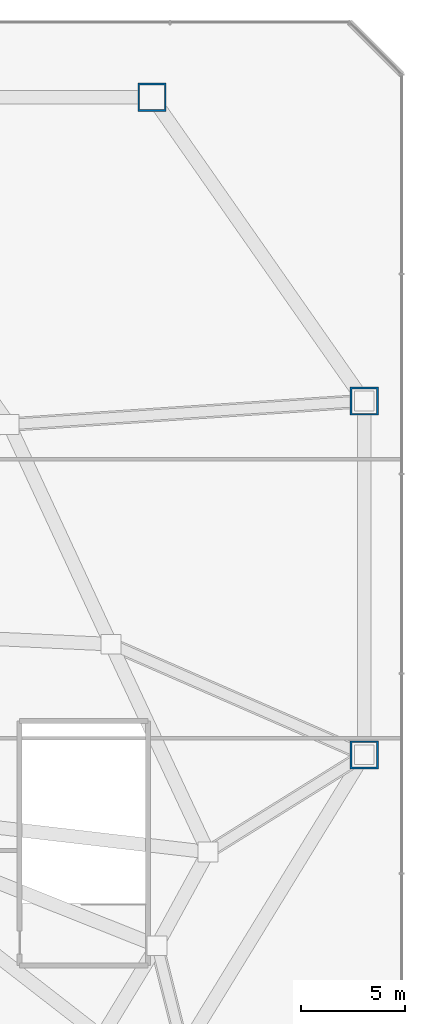
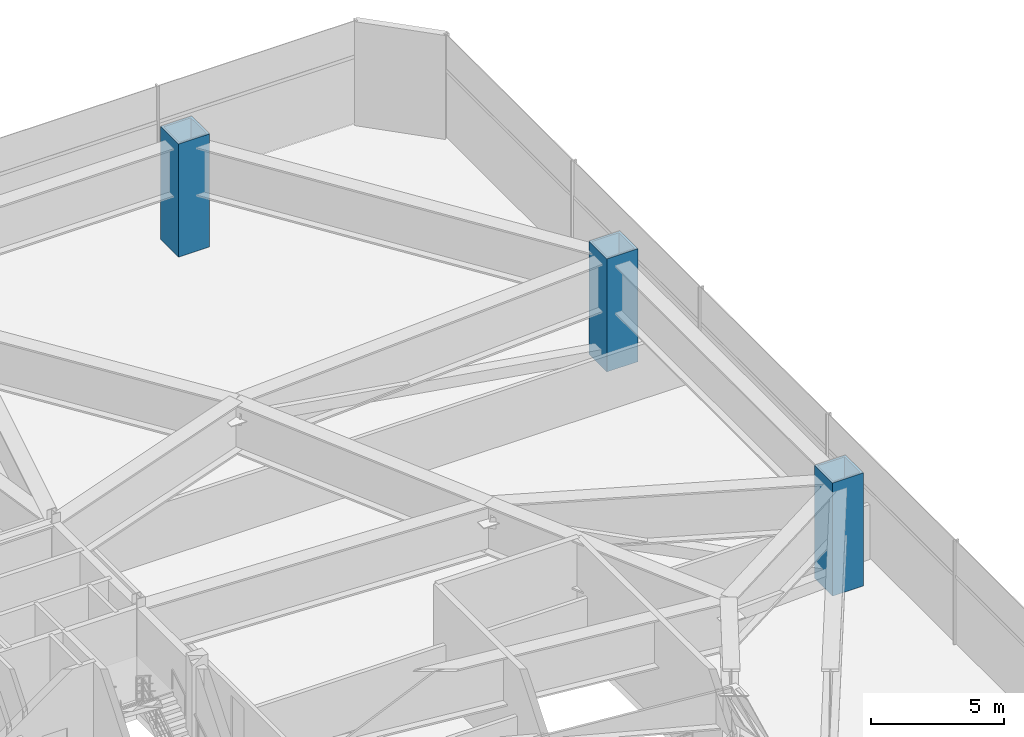
# One storey, part 4 of 29: 3 columns.
"""IFC4 building model written with IfcOpenShell, lengths in metres."""

from ifc_helpers import new_model, si_unit, direction, frame, origin, origin_2d, place, context, subcontext, project, spatial, hollow_rectangle, extrude, material, material_profile, profile_set, type_object, element, save


model = new_model("IFC4")

# Units and contexts
model_context = context("Model", 3, precision=1e-05, world=origin(), true_north=direction((0.0, 1.0)))
body_context = subcontext(model_context, "Body", "Model", "MODEL_VIEW")
ifc_project = project(units=[si_unit("LENGTHUNIT", "METRE"), si_unit("AREAUNIT", "SQUARE_METRE"), si_unit("VOLUMEUNIT", "CUBIC_METRE"), si_unit("PLANEANGLEUNIT", "RADIAN"), si_unit("MASSUNIT", "GRAM", prefix="KILO")], contexts=[model_context])

# Site, building, storey
site_placement = place(None, origin())
site = spatial("IfcSite", under=ifc_project, at=site_placement, CompositionType="ELEMENT")
building_placement = place(site_placement, origin())
building = spatial("IfcBuilding", under=site, at=building_placement, Name="Varakhsha Concourse Tower", CompositionType="ELEMENT")
storey_placement = place(building_placement, frame((0.0, 0.0, 22.0)))
storey = spatial("IfcBuildingStorey", under=building, at=storey_placement, Name="L05", CompositionType="ELEMENT", Elevation=22.0)

# Columns
ifc_material = material(Name="Structural Steel ASTM A572 Grade 50", Category="steel")
ifc_material_profile = material_profile(ifc_material, hollow_rectangle(XDim=1.35009765625, YDim=1.35009765625, WallThickness=0.0849609375, at=origin_2d()), Name="BOX 1350x1350x85")
ifc_profile_set = profile_set([ifc_material_profile], Name="Structural Steel ASTM A572 Grade 50")
column_type = type_object("IfcColumnType", Name="CL-STILT-1350", PredefinedType="COLUMN", material=ifc_profile_set)
for number, where, z_axis, x_axis, name in (
    (1, (75.199951171875, 18.800048828125, 0.0), (0.0, 0.0, 1.0), (1.0, 0.0, 0.0), "L05 Podium Mega-Column PC-E1"),
    (2, (75.199951171875, 35.800048828125, 0.0), (0.0, 0.0, 1.0), (1.0, 0.0, 0.0), "L05 Podium Mega-Column PC-E2"),
    (3, (65.0, 50.39990234375, 0.0), (0.0, 0.0, 1.0), (1.0, 0.0, 0.0), "L05 Podium Mega-Column PC-N4"),
):
    element("IfcColumn", number, at=place(storey_placement, frame(where, z_axis=z_axis, x_axis=x_axis)), inside=storey, type_object=column_type, Name=name, PredefinedType="COLUMN", context=body_context, shape_type="SweptSolid", body=[
        extrude(hollow_rectangle(XDim=1.35009765625, YDim=1.35009765625, WallThickness=0.0849609375, at=origin_2d()), origin(), (0.0, 0.0, 1.0), 5.199951171875),
    ])

save(model, "model.ifc")
